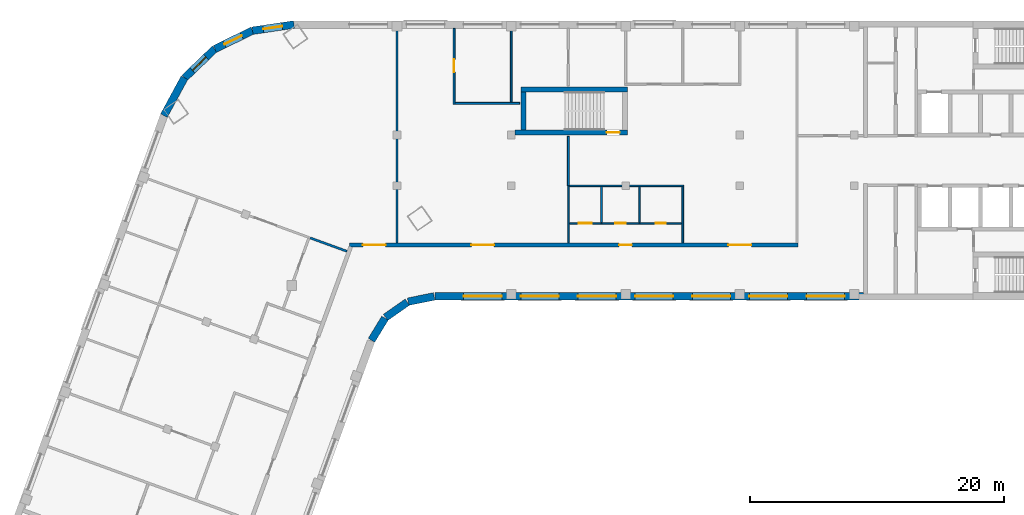
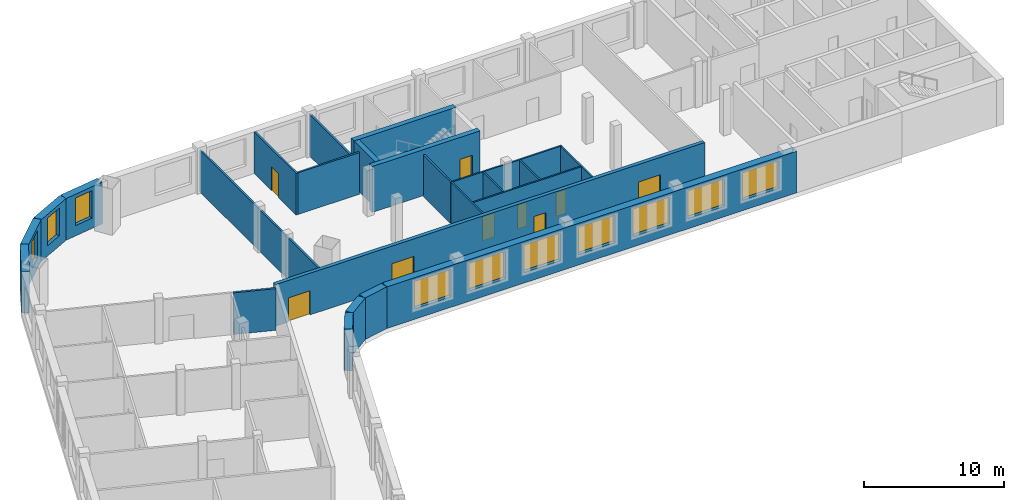
# One storey, part 4 of 8: 24 walls, 10 windows, 9 doors, 19 openings.
"""IFC4 building model written with IfcOpenShell, lengths in metres."""

from ifc_helpers import new_model, si_unit, direction, frame, frame_2d, origin, place, context, subcontext, project, spatial, rectangle, extrude, material, layer, layer_set, type_object, element, fill, save


model = new_model("IFC4")

# Units and contexts
model_context = context("Model", 3, precision=1e-05, world=origin(), true_north=direction((0.0, 1.0)))
body_context = subcontext(model_context, "Body", "Model", "MODEL_VIEW")
ifc_project = project(units=[si_unit("LENGTHUNIT", "METRE"), si_unit("AREAUNIT", "SQUARE_METRE"), si_unit("VOLUMEUNIT", "CUBIC_METRE"), si_unit("PLANEANGLEUNIT", "RADIAN"), si_unit("MASSUNIT", "GRAM", prefix="KILO")], contexts=[model_context])

# Site, building, storey
site_placement = place(None, origin())
site = spatial("IfcSite", under=ifc_project, at=site_placement, CompositionType="ELEMENT")
building_placement = place(site_placement, origin())
building = spatial("IfcBuilding", under=site, at=building_placement, Name="Skarvind Civic Tower", CompositionType="ELEMENT")
storey_placement = place(building_placement, frame((0.0, 0.0, 196.0)))
storey = spatial("IfcBuildingStorey", under=building, at=storey_placement, Name="L46", CompositionType="ELEMENT", Elevation=196.0)

# Wall
ifc_material_1 = material(Name="Acoustic gypsum board on steel studs", Category="steel")
ifc_layer_1 = layer(ifc_material_1, 0.175048828125)
ifc_layer_set_1 = layer_set([ifc_layer_1], Name="ACOUSTIC MEETING-ROOM PARTITION 175")
wall_type_1 = type_object("IfcWallType", Name="ACOUSTIC MEETING-ROOM PARTITION 175", PredefinedType="PARTITIONING", material=ifc_layer_set_1)
wall_1_placement = place(storey_placement, frame((50.31201171875, 120.843017578125, 0.0), z_axis=(0.0, 0.0, 1.0), x_axis=(-0.939666459913, 0.342092011182, 0.0)))
element("IfcWall", 1, at=wall_1_placement, inside=storey, type_object=wall_type_1, Name="Partition 46.019", PredefinedType="PARTITIONING", context=body_context, shape_type="SweptSolid", body=[
    extrude(rectangle(XDim=3.08935546875, YDim=0.175048828125, at=frame_2d((1.544677734375, 0.0))), origin(), (0.0, 0.0, 1.0), 3.625),
])

# Wall, openings, doors
ifc_material_2 = material(Name="Fire-rated gypsum board on steel studs", Category="steel")
ifc_layer_2 = layer(ifc_material_2, 0.300048828125)
ifc_layer_set_2 = layer_set([ifc_layer_2], Name="CORRIDOR WALL 300")
wall_type_2 = type_object("IfcWallType", Name="CORRIDOR WALL 300", PredefinedType="PARTITIONING", material=ifc_layer_set_2)
wall_2_placement = place(storey_placement, frame((50.506103515625, 121.35009765625, 0.0), z_axis=(0.0, 0.0, 1.0), x_axis=(1.0, 0.0, 0.0)))
wall_2 = element("IfcWall", 2, at=wall_2_placement, inside=storey, type_object=wall_type_2, Name="Partition 46.020", PredefinedType="PARTITIONING", context=body_context, shape_type="SweptSolid", body=[
    extrude(rectangle(XDim=35.31884765625, YDim=0.300048828125, at=frame_2d((17.659423828125, 0.0))), origin(), (0.0, 0.0, 1.0), 3.625),
])
opening_1_placement = place(wall_2_placement, frame((21.243896484375, 0.0, 0.0)))
opening_1 = element("IfcOpeningElement", 3, at=opening_1_placement, cuts=wall_2, Name="Opening L46-D002", PredefinedType="OPENING", context=body_context, shape_type="SweptSolid", body=[
    extrude(rectangle(XDim=1.0, YDim=2.10009765625, at=frame_2d((0.5, 1.050048828125))), frame((0.0, 0.159912109375, 0.0), z_axis=(0.0, -1.0, 0.0), x_axis=(1.0, 0.0, 0.0)), (0.0, 0.0, 1.0), 0.320068359375),
])
opening_2_placement = place(wall_2_placement, frame((29.843994140625, 0.0, 0.0)))
opening_2 = element("IfcOpeningElement", 4, at=opening_2_placement, cuts=wall_2, Name="Opening L46-D008", PredefinedType="OPENING", context=body_context, shape_type="SweptSolid", body=[
    extrude(rectangle(XDim=1.800048828125, YDim=2.10009765625, at=frame_2d((0.89990234375, 1.050048828125))), frame((0.0, 0.159912109375, 0.0), z_axis=(0.0, -1.0, 0.0), x_axis=(1.0, 0.0, 0.0)), (0.0, 0.0, 1.0), 0.320068359375),
])
opening_3_placement = place(wall_2_placement, frame((9.593994140625, 0.0, 0.0)))
opening_3 = element("IfcOpeningElement", 5, at=opening_3_placement, cuts=wall_2, Name="Opening L46-D011", PredefinedType="OPENING", context=body_context, shape_type="SweptSolid", body=[
    extrude(rectangle(XDim=1.800048828125, YDim=2.10009765625, at=frame_2d((0.89990234375, 1.050048828125))), frame((0.0, 0.159912109375, 0.0), z_axis=(0.0, -1.0, 0.0), x_axis=(1.0, 0.0, 0.0)), (0.0, 0.0, 1.0), 0.320068359375),
])
opening_4_placement = place(wall_2_placement, frame((1.047119140625, 0.0, 0.0)))
opening_4 = element("IfcOpeningElement", 6, at=opening_4_placement, cuts=wall_2, Name="Opening L46-D021", PredefinedType="OPENING", context=body_context, shape_type="SweptSolid", body=[
    extrude(rectangle(XDim=1.800048828125, YDim=2.10009765625, at=frame_2d((0.89990234375, 1.050048828125))), frame((0.0, 0.159912109375, 0.0), z_axis=(0.0, -1.0, 0.0), x_axis=(1.0, 0.0, 0.0)), (0.0, 0.0, 1.0), 0.320068359375),
])
ifc_material_3 = material(Name="Fire-rated timber door leaf", Category="wood")
door_type_1 = type_object("IfcDoorType", Name="FD1 1000x2100", OperationType="NOTDEFINED", PredefinedType="DOOR", material=ifc_material_3)
door_1_placement = place(opening_1_placement, origin())
door_1 = element("IfcDoor", 7, at=door_1_placement, inside=storey, type_object=door_type_1, Name="Door L46-D002", OperationType="SINGLE_SWING_LEFT", OverallHeight=2.10009765625, OverallWidth=1.0, PredefinedType="DOOR", context=body_context, shape_type="SweptSolid", body=[
    extrude(rectangle(XDim=1.0, YDim=2.10009765625, at=frame_2d((0.5, 1.050048828125))), frame((0.0, 0.02490234375, 0.0), z_axis=(0.0, -1.0, 0.0), x_axis=(1.0, 0.0, 0.0)), (0.0, 0.0, 1.0), 0.050048828125),
])
fill(opening_1, door_1)
door_type_2 = type_object("IfcDoorType", Name="FD4 1800x2100", OperationType="NOTDEFINED", PredefinedType="DOOR", material=ifc_material_3)
door_2_placement = place(opening_2_placement, origin())
door_2 = element("IfcDoor", 8, at=door_2_placement, inside=storey, type_object=door_type_2, Name="Door L46-D008", OperationType="DOUBLE_DOOR_SINGLE_SWING", OverallHeight=2.10009765625, OverallWidth=1.800048828125, PredefinedType="DOOR", context=body_context, shape_type="SweptSolid", body=[
    extrude(rectangle(XDim=1.800048828125, YDim=2.10009765625, at=frame_2d((0.89990234375, 1.050048828125))), frame((0.0, 0.02490234375, 0.0), z_axis=(0.0, -1.0, 0.0), x_axis=(1.0, 0.0, 0.0)), (0.0, 0.0, 1.0), 0.050048828125),
])
fill(opening_2, door_2)
door_3_placement = place(opening_3_placement, origin())
door_3 = element("IfcDoor", 9, at=door_3_placement, inside=storey, type_object=door_type_2, Name="Door L46-D011", OperationType="DOUBLE_DOOR_SINGLE_SWING", OverallHeight=2.10009765625, OverallWidth=1.800048828125, PredefinedType="DOOR", context=body_context, shape_type="SweptSolid", body=[
    extrude(rectangle(XDim=1.800048828125, YDim=2.10009765625, at=frame_2d((0.89990234375, 1.050048828125))), frame((0.0, 0.02490234375, 0.0), z_axis=(0.0, -1.0, 0.0), x_axis=(1.0, 0.0, 0.0)), (0.0, 0.0, 1.0), 0.050048828125),
])
fill(opening_3, door_3)
door_4_placement = place(opening_4_placement, origin())
door_4 = element("IfcDoor", 10, at=door_4_placement, inside=storey, type_object=door_type_2, Name="Door L46-D021", OperationType="DOUBLE_DOOR_SINGLE_SWING", OverallHeight=2.10009765625, OverallWidth=1.800048828125, PredefinedType="DOOR", context=body_context, shape_type="SweptSolid", body=[
    extrude(rectangle(XDim=1.800048828125, YDim=2.10009765625, at=frame_2d((0.89990234375, 1.050048828125))), frame((0.0, 0.02490234375, 0.0), z_axis=(0.0, -1.0, 0.0), x_axis=(1.0, 0.0, 0.0)), (0.0, 0.0, 1.0), 0.050048828125),
])
fill(opening_4, door_4)

# Wall, opening, door
ifc_material_4 = material(Name="Concrete C60", Category="concrete")
ifc_layer_3 = layer(ifc_material_4, 0.39990234375)
ifc_layer_set_3 = layer_set([ifc_layer_3], Name="Core wall 400 C60")
wall_type_3 = type_object("IfcWallType", Name="Core wall 400 C60", PredefinedType="SHEAR", material=ifc_layer_set_3)
wall_3_placement = place(storey_placement, frame((63.550048828125, 130.199951171875, 0.0), z_axis=(0.0, 0.0, 1.0), x_axis=(1.0, 0.0, 0.0)))
wall_3 = element("IfcWall", 11, at=wall_3_placement, inside=storey, type_object=wall_type_3, Name="Core wall CM inner L46", PredefinedType="SHEAR", context=body_context, shape_type="SweptSolid", body=[
    extrude(rectangle(XDim=8.849853515625, YDim=0.39990234375, at=frame_2d((4.4248046875, 0.0))), origin(), (0.0, 0.0, 1.0), 4.0),
])
opening_5_placement = place(wall_3_placement, frame((7.22509765625, 0.0, 0.0)))
opening_5 = element("IfcOpeningElement", 12, at=opening_5_placement, cuts=wall_3, Name="Opening D-L46-CM-01", PredefinedType="OPENING", context=body_context, shape_type="SweptSolid", body=[
    extrude(rectangle(XDim=1.0, YDim=2.10009765625, at=frame_2d((0.5, 1.050048828125))), frame((0.0, 0.2099609375, 0.0), z_axis=(0.0, -1.0, 0.0), x_axis=(1.0, 0.0, 0.0)), (0.0, 0.0, 1.0), 0.419921875),
])
ifc_material_5 = material(Name="Fire-rated steel door", Category="steel")
door_type_3 = type_object("IfcDoorType", Name="Fire door 1000", OperationType="NOTDEFINED", PredefinedType="DOOR", material=ifc_material_5)
door_5_placement = place(opening_5_placement, origin())
door_5 = element("IfcDoor", 13, at=door_5_placement, inside=storey, type_object=door_type_3, Name="Fire door", OperationType="SINGLE_SWING_LEFT", OverallHeight=2.10009765625, OverallWidth=1.0, PredefinedType="DOOR", context=body_context, shape_type="SweptSolid", body=[
    extrude(rectangle(XDim=1.0, YDim=2.10009765625, at=frame_2d((0.5, 1.050048828125))), frame((0.0, 0.02490234375, 0.0), z_axis=(0.0, -1.0, 0.0), x_axis=(1.0, 0.0, 0.0)), (0.0, 0.0, 1.0), 0.050048828125),
])
fill(opening_5, door_5)

# Walls
wall_4_placement = place(storey_placement, frame((64.0, 133.60009765625, 0.0), z_axis=(0.0, 0.0, 1.0), x_axis=(1.0, 0.0, 0.0)))
element("IfcWall", 14, at=wall_4_placement, inside=storey, type_object=wall_type_3, Name="Core wall CM outer L46", PredefinedType="SHEAR", context=body_context, shape_type="SweptSolid", body=[
    extrude(rectangle(XDim=8.39990234375, YDim=0.39990234375, at=frame_2d((4.199951171875, 0.0))), origin(), (0.0, 0.0, 1.0), 4.0),
])
wall_5_placement = place(storey_placement, frame((64.199951171875, 130.39990234375, 0.0), z_axis=(0.0, 0.0, 1.0), x_axis=(0.0, 1.0, 0.0)))
element("IfcWall", 15, at=wall_5_placement, inside=storey, type_object=wall_type_3, Name="Core wall CM west L46", PredefinedType="SHEAR", context=body_context, shape_type="SweptSolid", body=[
    extrude(rectangle(XDim=3.0, YDim=0.39990234375, at=frame_2d((1.5, 0.0))), origin(), (0.0, 0.0, 1.0), 4.0),
])
ifc_material_6 = material(Name="Plasterboard partition on steel studs", Category="steel")
ifc_layer_4 = layer(ifc_material_6, 0.14990234375)
ifc_layer_set_4 = layer_set([ifc_layer_4], Name="PARTITION 150")
wall_type_4 = type_object("IfcWallType", Name="PARTITION 150", PredefinedType="PARTITIONING", material=ifc_layer_set_4)
wall_6_placement = place(storey_placement, frame((54.25, 138.39990234375, 0.0), z_axis=(0.0, 0.0, 1.0), x_axis=(0.0, -1.0, 0.0)))
element("IfcWall", 16, at=wall_6_placement, inside=storey, type_object=wall_type_4, Name="Partition 46.021", PredefinedType="PARTITIONING", context=body_context, shape_type="SweptSolid", body=[
    extrude(rectangle(XDim=16.89990234375, YDim=0.14990234375, at=frame_2d((8.449951171875, 0.0))), origin(), (0.0, 0.0, 1.0), 3.625),
])

# Wall, opening, door
wall_7_placement = place(storey_placement, frame((58.75, 132.425048828125, 0.0), z_axis=(0.0, 0.0, 1.0), x_axis=(0.0, 1.0, 0.0)))
wall_7 = element("IfcWall", 17, at=wall_7_placement, inside=storey, type_object=wall_type_4, Name="Partition 46.022", PredefinedType="PARTITIONING", context=body_context, shape_type="SweptSolid", body=[
    extrude(rectangle(XDim=5.974853515625, YDim=0.14990234375, at=frame_2d((2.9873046875, 0.0))), origin(), (0.0, 0.0, 1.0), 3.625),
])
opening_6_placement = place(wall_7_placement, frame((2.52490234375, 0.0, 0.0)))
opening_6 = element("IfcOpeningElement", 18, at=opening_6_placement, cuts=wall_7, Name="Opening L46-D010", PredefinedType="OPENING", context=body_context, shape_type="SweptSolid", body=[
    extrude(rectangle(XDim=1.0, YDim=2.10009765625, at=frame_2d((0.5, 1.050048828125))), frame((0.0, 0.0849609375, 0.0), z_axis=(0.0, -1.0, 0.0), x_axis=(1.0, 0.0, 0.0)), (0.0, 0.0, 1.0), 0.169921875),
])
ifc_material_7 = material(Name="Timber door leaf", Category="wood")
door_type_4 = type_object("IfcDoorType", Name="D1 1000x2100", OperationType="NOTDEFINED", PredefinedType="DOOR", material=ifc_material_7)
door_6_placement = place(opening_6_placement, origin())
door_6 = element("IfcDoor", 19, at=door_6_placement, inside=storey, type_object=door_type_4, Name="Door L46-D010", OperationType="SINGLE_SWING_LEFT", OverallHeight=2.10009765625, OverallWidth=1.0, PredefinedType="DOOR", context=body_context, shape_type="SweptSolid", body=[
    extrude(rectangle(XDim=1.0, YDim=2.10009765625, at=frame_2d((0.5, 1.050048828125))), frame((0.0, 0.02490234375, 0.0), z_axis=(0.0, -1.0, 0.0), x_axis=(1.0, 0.0, 0.0)), (0.0, 0.0, 1.0), 0.050048828125),
])
fill(opening_6, door_6)

# Walls
wall_8_placement = place(storey_placement, frame((63.89990234375, 132.5, 0.0), z_axis=(0.0, 0.0, 1.0), x_axis=(-1.0, 0.0, 0.0)))
element("IfcWall", 20, at=wall_8_placement, inside=storey, type_object=wall_type_4, Name="Partition 46.023", PredefinedType="PARTITIONING", context=body_context, shape_type="SweptSolid", body=[
    extrude(rectangle(XDim=5.074951171875, YDim=0.14990234375, at=frame_2d((2.53759765625, 0.0))), origin(), (0.0, 0.0, 1.0), 3.625),
])
wall_9_placement = place(storey_placement, frame((63.25, 132.574951171875, 0.0), z_axis=(0.0, 0.0, 1.0), x_axis=(0.0, 1.0, 0.0)))
element("IfcWall", 21, at=wall_9_placement, inside=storey, type_object=wall_type_4, Name="Partition 46.024", PredefinedType="PARTITIONING", context=body_context, shape_type="SweptSolid", body=[
    extrude(rectangle(XDim=5.824951171875, YDim=0.14990234375, at=frame_2d((2.91259765625, 0.0))), origin(), (0.0, 0.0, 1.0), 3.625),
])
wall_10_placement = place(storey_placement, frame((67.75, 126.0, 0.0), z_axis=(0.0, 0.0, 1.0), x_axis=(0.0, 1.0, 0.0)))
element("IfcWall", 22, at=wall_10_placement, inside=storey, type_object=wall_type_4, Name="Partition 46.027", PredefinedType="PARTITIONING", context=body_context, shape_type="SweptSolid", body=[
    extrude(rectangle(XDim=3.89990234375, YDim=0.14990234375, at=frame_2d((1.949951171875, 0.0))), origin(), (0.0, 0.0, 1.0), 3.625),
])
ifc_material_8 = material(Name="Moisture-resistant gypsum board on steel studs", Category="steel")
ifc_layer_5 = layer(ifc_material_8, 0.125)
ifc_layer_set_5 = layer_set([ifc_layer_5], Name="WC PARTITION 125")
wall_type_5 = type_object("IfcWallType", Name="WC PARTITION 125", PredefinedType="PARTITIONING", material=ifc_layer_set_5)
wall_11_placement = place(storey_placement, frame((67.75, 121.5, 0.0), z_axis=(0.0, 0.0, 1.0), x_axis=(0.0, 1.0, 0.0)))
element("IfcWall", 23, at=wall_11_placement, inside=storey, type_object=wall_type_5, Name="Partition 46.025", PredefinedType="PARTITIONING", context=body_context, shape_type="SweptSolid", body=[
    extrude(rectangle(XDim=4.5, YDim=0.125, at=frame_2d((2.25, 0.0))), origin(), (0.0, 0.0, 1.0), 3.625),
])

# Wall, openings, doors
wall_12_placement = place(storey_placement, frame((67.81201171875, 123.050048828125, 0.0), z_axis=(0.0, 0.0, 1.0), x_axis=(1.0, 0.0, 0.0)))
wall_12 = element("IfcWall", 24, at=wall_12_placement, inside=storey, type_object=wall_type_5, Name="Partition 46.026", PredefinedType="PARTITIONING", context=body_context, shape_type="SweptSolid", body=[
    extrude(rectangle(XDim=8.8759765625, YDim=0.125, at=frame_2d((4.43798828125, 0.0))), origin(), (0.0, 0.0, 1.0), 3.625),
])
opening_7_placement = place(wall_12_placement, frame((6.81689453125, 0.0, 0.0)))
opening_7 = element("IfcOpeningElement", 25, at=opening_7_placement, cuts=wall_12, Name="Opening L46-D003", PredefinedType="OPENING", context=body_context, shape_type="SweptSolid", body=[
    extrude(rectangle(XDim=0.800048828125, YDim=2.10009765625, at=frame_2d((0.39990234375, 1.050048828125))), frame((0.0, 0.072509765625, 0.0), z_axis=(0.0, -1.0, 0.0), x_axis=(1.0, 0.0, 0.0)), (0.0, 0.0, 1.0), 0.14501953125),
])
opening_8_placement = place(wall_12_placement, frame((3.637939453125, 0.0, 0.0)))
opening_8 = element("IfcOpeningElement", 26, at=opening_8_placement, cuts=wall_12, Name="Opening L46-D004", PredefinedType="OPENING", context=body_context, shape_type="SweptSolid", body=[
    extrude(rectangle(XDim=0.800048828125, YDim=2.10009765625, at=frame_2d((0.39990234375, 1.050048828125))), frame((0.0, 0.072509765625, 0.0), z_axis=(0.0, -1.0, 0.0), x_axis=(1.0, 0.0, 0.0)), (0.0, 0.0, 1.0), 0.14501953125),
])
opening_9_placement = place(wall_12_placement, frame((0.759033203125, 0.0, 0.0)))
opening_9 = element("IfcOpeningElement", 27, at=opening_9_placement, cuts=wall_12, Name="Opening L46-D005", PredefinedType="OPENING", context=body_context, shape_type="SweptSolid", body=[
    extrude(rectangle(XDim=1.0, YDim=2.10009765625, at=frame_2d((0.5, 1.050048828125))), frame((0.0, 0.072509765625, 0.0), z_axis=(0.0, -1.0, 0.0), x_axis=(1.0, 0.0, 0.0)), (0.0, 0.0, 1.0), 0.14501953125),
])
door_7_placement = place(opening_9_placement, origin())
door_7 = element("IfcDoor", 28, at=door_7_placement, inside=storey, type_object=door_type_4, Name="Door L46-D005", OperationType="SINGLE_SWING_LEFT", OverallHeight=2.10009765625, OverallWidth=1.0, PredefinedType="DOOR", context=body_context, shape_type="SweptSolid", body=[
    extrude(rectangle(XDim=1.0, YDim=2.10009765625, at=frame_2d((0.5, 1.050048828125))), frame((0.0, 0.02490234375, 0.0), z_axis=(0.0, -1.0, 0.0), x_axis=(1.0, 0.0, 0.0)), (0.0, 0.0, 1.0), 0.050048828125),
])
fill(opening_9, door_7)
door_type_5 = type_object("IfcDoorType", Name="DOOR 800X2100 TIMBER", OperationType="NOTDEFINED", PredefinedType="DOOR", material=ifc_material_7)
door_8_placement = place(opening_7_placement, origin())
door_8 = element("IfcDoor", 29, at=door_8_placement, inside=storey, type_object=door_type_5, Name="Door L46-D003", OperationType="SINGLE_SWING_RIGHT", OverallHeight=2.10009765625, OverallWidth=0.800048828125, PredefinedType="DOOR", context=body_context, shape_type="SweptSolid", body=[
    extrude(rectangle(XDim=0.800048828125, YDim=2.10009765625, at=frame_2d((0.39990234375, 1.050048828125))), frame((0.0, 0.02490234375, 0.0), z_axis=(0.0, -1.0, 0.0), x_axis=(1.0, 0.0, 0.0)), (0.0, 0.0, 1.0), 0.050048828125),
])
fill(opening_7, door_8)
door_9_placement = place(opening_8_placement, origin())
door_9 = element("IfcDoor", 30, at=door_9_placement, inside=storey, type_object=door_type_5, Name="Door L46-D004", OperationType="SINGLE_SWING_LEFT", OverallHeight=2.10009765625, OverallWidth=0.800048828125, PredefinedType="DOOR", context=body_context, shape_type="SweptSolid", body=[
    extrude(rectangle(XDim=0.800048828125, YDim=2.10009765625, at=frame_2d((0.39990234375, 1.050048828125))), frame((0.0, 0.02490234375, 0.0), z_axis=(0.0, -1.0, 0.0), x_axis=(1.0, 0.0, 0.0)), (0.0, 0.0, 1.0), 0.050048828125),
])
fill(opening_8, door_9)

# Walls
wall_13_placement = place(storey_placement, frame((67.824951171875, 126.0, 0.0), z_axis=(0.0, 0.0, 1.0), x_axis=(1.0, 0.0, 0.0)))
element("IfcWall", 31, at=wall_13_placement, inside=storey, type_object=wall_type_5, Name="Partition 46.028", PredefinedType="PARTITIONING", context=body_context, shape_type="SweptSolid", body=[
    extrude(rectangle(XDim=8.987060546875, YDim=0.125, at=frame_2d((4.49365234375, 0.0))), origin(), (0.0, 0.0, 1.0), 3.625),
])
for number, where, z_axis, x_axis, name in (
    (32, (70.35009765625, 125.93798828125, 0.0), (0.0, 0.0, 1.0), (0.0, -1.0, 0.0), "Partition 46.030"),
    (33, (73.35009765625, 125.93798828125, 0.0), (0.0, 0.0, 1.0), (0.0, -1.0, 0.0), "Partition 46.033"),
):
    element("IfcWall", number, at=place(storey_placement, frame(where, z_axis=z_axis, x_axis=x_axis)), inside=storey, type_object=wall_type_5, Name=name, PredefinedType="PARTITIONING", context=body_context, shape_type="SweptSolid", body=[
        extrude(rectangle(XDim=2.825927734375, YDim=0.125, at=frame_2d((1.4130859375, 0.0))), origin(), (0.0, 0.0, 1.0), 3.625),
    ])
wall_14_placement = place(storey_placement, frame((76.75, 125.93798828125, 0.0), z_axis=(0.0, 0.0, 1.0), x_axis=(0.0, -1.0, 0.0)))
element("IfcWall", 34, at=wall_14_placement, inside=storey, type_object=wall_type_5, Name="Partition 46.034", PredefinedType="PARTITIONING", context=body_context, shape_type="SweptSolid", body=[
    extrude(rectangle(XDim=4.43798828125, YDim=0.125, at=frame_2d((2.218994140625, 0.0))), origin(), (0.0, 0.0, 1.0), 3.625),
])
ifc_material_9 = material(Name="Limestone masonry cladding on insulated backing", Category="masonry")
ifc_layer_6 = layer(ifc_material_9, 0.60009765625)
ifc_layer_set_6 = layer_set([ifc_layer_6], Name="WX1 STONE FACADE WALL 600")
wall_type_6 = type_object("IfcWallType", Name="WX1 STONE FACADE WALL 600", PredefinedType="SOLIDWALL", material=ifc_layer_set_6)
wall_15_placement = place(storey_placement, frame((53.30517578125, 115.578369140625, 0.0), z_axis=(0.0, 0.0, 1.0), x_axis=(-0.522402266438, -0.852699168535, 0.0)))
element("IfcWall", 35, at=wall_15_placement, inside=storey, type_object=wall_type_6, Name="STONE FACADE WALL", PredefinedType="SOLIDWALL", context=body_context, shape_type="SweptSolid", body=[
    extrude(rectangle(XDim=2.042236328125, YDim=0.60009765625, at=frame_2d((1.02099609375, 0.0))), origin(), (0.0, 0.0, 1.0), 3.625),
])
for number, where, z_axis, x_axis, name in (
    (36, (55.061767578125, 116.8388671875, 0.0), (0.0, 0.0, 1.0), (-0.819122269495, -0.573618956815, 0.0), "STONE FACADE WALL"),
    (37, (57.17529296875, 117.2939453125, 0.0), (0.0, 0.0, 1.0), (-0.97996099083, -0.19918949885, 0.0), "STONE FACADE WALL"),
):
    element("IfcWall", number, at=place(storey_placement, frame(where, z_axis=z_axis, x_axis=x_axis)), inside=storey, type_object=wall_type_6, Name=name, PredefinedType="SOLIDWALL", context=body_context, shape_type="SweptSolid", body=[
        extrude(rectangle(XDim=2.09228515625, YDim=0.60009765625, at=frame_2d((1.046142578125, 0.0))), origin(), (0.0, 0.0, 1.0), 3.625),
    ])

# Wall, openings, windows
wall_16_placement = place(storey_placement, frame((90.97998046875, 117.300048828125, 0.0), z_axis=(0.0, 0.0, 1.0), x_axis=(-1.0, 0.0, 0.0)))
wall_16 = element("IfcWall", 38, at=wall_16_placement, inside=storey, type_object=wall_type_6, Name="STONE FACADE WALL", PredefinedType="SOLIDWALL", context=body_context, shape_type="SweptSolid", body=[
    extrude(rectangle(XDim=33.744873046875, YDim=0.60009765625, at=frame_2d((16.87255859375, 0.0))), origin(), (0.0, 0.0, 1.0), 3.625),
])
opening_10_placement = place(wall_16_placement, frame((1.47998046875, 0.0, 0.89990234375)))
opening_10 = element("IfcOpeningElement", 39, at=opening_10_placement, cuts=wall_16, Name="Opening WN1", PredefinedType="OPENING", context=body_context, shape_type="SweptSolid", body=[
    extrude(rectangle(XDim=3.0, YDim=2.39990234375, at=frame_2d((1.5, 1.199951171875))), frame((0.0, 0.31005859375, 0.0), z_axis=(0.0, -1.0, 0.0), x_axis=(1.0, 0.0, 0.0)), (0.0, 0.0, 1.0), 0.6201171875),
])
opening_11_placement = place(wall_16_placement, frame((5.97998046875, 0.0, 0.89990234375)))
opening_11 = element("IfcOpeningElement", 40, at=opening_11_placement, cuts=wall_16, Name="Opening WN1", PredefinedType="OPENING", context=body_context, shape_type="SweptSolid", body=[
    extrude(rectangle(XDim=3.0, YDim=2.39990234375, at=frame_2d((1.5, 1.199951171875))), frame((0.0, 0.31005859375, 0.0), z_axis=(0.0, -1.0, 0.0), x_axis=(1.0, 0.0, 0.0)), (0.0, 0.0, 1.0), 0.6201171875),
])
opening_12_placement = place(wall_16_placement, frame((10.47998046875, 0.0, 0.89990234375)))
opening_12 = element("IfcOpeningElement", 41, at=opening_12_placement, cuts=wall_16, Name="Opening WN1", PredefinedType="OPENING", context=body_context, shape_type="SweptSolid", body=[
    extrude(rectangle(XDim=3.0, YDim=2.39990234375, at=frame_2d((1.5, 1.199951171875))), frame((0.0, 0.31005859375, 0.0), z_axis=(0.0, -1.0, 0.0), x_axis=(1.0, 0.0, 0.0)), (0.0, 0.0, 1.0), 0.6201171875),
])
opening_13_placement = place(wall_16_placement, frame((14.97998046875, 0.0, 0.89990234375)))
opening_13 = element("IfcOpeningElement", 42, at=opening_13_placement, cuts=wall_16, Name="Opening WN1", PredefinedType="OPENING", context=body_context, shape_type="SweptSolid", body=[
    extrude(rectangle(XDim=3.0, YDim=2.39990234375, at=frame_2d((1.5, 1.199951171875))), frame((0.0, 0.31005859375, 0.0), z_axis=(0.0, -1.0, 0.0), x_axis=(1.0, 0.0, 0.0)), (0.0, 0.0, 1.0), 0.6201171875),
])
opening_14_placement = place(wall_16_placement, frame((19.47998046875, 0.0, 0.89990234375)))
opening_14 = element("IfcOpeningElement", 43, at=opening_14_placement, cuts=wall_16, Name="Opening WN1", PredefinedType="OPENING", context=body_context, shape_type="SweptSolid", body=[
    extrude(rectangle(XDim=3.0, YDim=2.39990234375, at=frame_2d((1.5, 1.199951171875))), frame((0.0, 0.31005859375, 0.0), z_axis=(0.0, -1.0, 0.0), x_axis=(1.0, 0.0, 0.0)), (0.0, 0.0, 1.0), 0.6201171875),
])
opening_15_placement = place(wall_16_placement, frame((23.97998046875, 0.0, 0.89990234375)))
opening_15 = element("IfcOpeningElement", 44, at=opening_15_placement, cuts=wall_16, Name="Opening WN1", PredefinedType="OPENING", context=body_context, shape_type="SweptSolid", body=[
    extrude(rectangle(XDim=3.0, YDim=2.39990234375, at=frame_2d((1.5, 1.199951171875))), frame((0.0, 0.31005859375, 0.0), z_axis=(0.0, -1.0, 0.0), x_axis=(1.0, 0.0, 0.0)), (0.0, 0.0, 1.0), 0.6201171875),
])
opening_16_placement = place(wall_16_placement, frame((28.47998046875, 0.0, 0.89990234375)))
opening_16 = element("IfcOpeningElement", 45, at=opening_16_placement, cuts=wall_16, Name="Opening WN1", PredefinedType="OPENING", context=body_context, shape_type="SweptSolid", body=[
    extrude(rectangle(XDim=3.0, YDim=2.39990234375, at=frame_2d((1.5, 1.199951171875))), frame((0.0, 0.31005859375, 0.0), z_axis=(0.0, -1.0, 0.0), x_axis=(1.0, 0.0, 0.0)), (0.0, 0.0, 1.0), 0.6201171875),
])
ifc_material_10 = material(Name="Timber frame, double glazing, timber-lined reveal", Category="wood")
window_type_1 = type_object("IfcWindowType", Name="WN1 PUNCHED STONE WINDOW 3000 x 2400", PartitioningType="SINGLE_PANEL", PredefinedType="WINDOW", material=ifc_material_10)
window_1_placement = place(opening_10_placement, origin())
window_1 = element("IfcWindow", 46, at=window_1_placement, inside=storey, type_object=window_type_1, Name="WN1 WINDOW", OverallHeight=2.39990234375, OverallWidth=3.0, PartitioningType="SINGLE_PANEL", PredefinedType="WINDOW", context=body_context, shape_type="SweptSolid", body=[
    extrude(rectangle(XDim=3.0, YDim=2.39990234375, at=frame_2d((1.5, 1.199951171875))), frame((0.0, 0.030029296875, 0.0), z_axis=(0.0, -1.0, 0.0), x_axis=(1.0, 0.0, 0.0)), (0.0, 0.0, 1.0), 0.06005859375),
])
fill(opening_10, window_1)
window_2_placement = place(opening_11_placement, origin())
window_2 = element("IfcWindow", 47, at=window_2_placement, inside=storey, type_object=window_type_1, Name="WN1 WINDOW", OverallHeight=2.39990234375, OverallWidth=3.0, PartitioningType="SINGLE_PANEL", PredefinedType="WINDOW", context=body_context, shape_type="SweptSolid", body=[
    extrude(rectangle(XDim=3.0, YDim=2.39990234375, at=frame_2d((1.5, 1.199951171875))), frame((0.0, 0.030029296875, 0.0), z_axis=(0.0, -1.0, 0.0), x_axis=(1.0, 0.0, 0.0)), (0.0, 0.0, 1.0), 0.06005859375),
])
fill(opening_11, window_2)
window_3_placement = place(opening_12_placement, origin())
window_3 = element("IfcWindow", 48, at=window_3_placement, inside=storey, type_object=window_type_1, Name="WN1 WINDOW", OverallHeight=2.39990234375, OverallWidth=3.0, PartitioningType="SINGLE_PANEL", PredefinedType="WINDOW", context=body_context, shape_type="SweptSolid", body=[
    extrude(rectangle(XDim=3.0, YDim=2.39990234375, at=frame_2d((1.5, 1.199951171875))), frame((0.0, 0.030029296875, 0.0), z_axis=(0.0, -1.0, 0.0), x_axis=(1.0, 0.0, 0.0)), (0.0, 0.0, 1.0), 0.06005859375),
])
fill(opening_12, window_3)
window_4_placement = place(opening_13_placement, origin())
window_4 = element("IfcWindow", 49, at=window_4_placement, inside=storey, type_object=window_type_1, Name="WN1 WINDOW", OverallHeight=2.39990234375, OverallWidth=3.0, PartitioningType="SINGLE_PANEL", PredefinedType="WINDOW", context=body_context, shape_type="SweptSolid", body=[
    extrude(rectangle(XDim=3.0, YDim=2.39990234375, at=frame_2d((1.5, 1.199951171875))), frame((0.0, 0.030029296875, 0.0), z_axis=(0.0, -1.0, 0.0), x_axis=(1.0, 0.0, 0.0)), (0.0, 0.0, 1.0), 0.06005859375),
])
fill(opening_13, window_4)
window_5_placement = place(opening_14_placement, origin())
window_5 = element("IfcWindow", 50, at=window_5_placement, inside=storey, type_object=window_type_1, Name="WN1 WINDOW", OverallHeight=2.39990234375, OverallWidth=3.0, PartitioningType="SINGLE_PANEL", PredefinedType="WINDOW", context=body_context, shape_type="SweptSolid", body=[
    extrude(rectangle(XDim=3.0, YDim=2.39990234375, at=frame_2d((1.5, 1.199951171875))), frame((0.0, 0.030029296875, 0.0), z_axis=(0.0, -1.0, 0.0), x_axis=(1.0, 0.0, 0.0)), (0.0, 0.0, 1.0), 0.06005859375),
])
fill(opening_14, window_5)
window_6_placement = place(opening_15_placement, origin())
window_6 = element("IfcWindow", 51, at=window_6_placement, inside=storey, type_object=window_type_1, Name="WN1 WINDOW", OverallHeight=2.39990234375, OverallWidth=3.0, PartitioningType="SINGLE_PANEL", PredefinedType="WINDOW", context=body_context, shape_type="SweptSolid", body=[
    extrude(rectangle(XDim=3.0, YDim=2.39990234375, at=frame_2d((1.5, 1.199951171875))), frame((0.0, 0.030029296875, 0.0), z_axis=(0.0, -1.0, 0.0), x_axis=(1.0, 0.0, 0.0)), (0.0, 0.0, 1.0), 0.06005859375),
])
fill(opening_15, window_6)
window_7_placement = place(opening_16_placement, origin())
window_7 = element("IfcWindow", 52, at=window_7_placement, inside=storey, type_object=window_type_1, Name="WN1 WINDOW", OverallHeight=2.39990234375, OverallWidth=3.0, PartitioningType="SINGLE_PANEL", PredefinedType="WINDOW", context=body_context, shape_type="SweptSolid", body=[
    extrude(rectangle(XDim=3.0, YDim=2.39990234375, at=frame_2d((1.5, 1.199951171875))), frame((0.0, 0.030029296875, 0.0), z_axis=(0.0, -1.0, 0.0), x_axis=(1.0, 0.0, 0.0)), (0.0, 0.0, 1.0), 0.06005859375),
])
fill(opening_16, window_7)

# Wall, opening, window
wall_17_placement = place(storey_placement, frame((42.872802734375, 138.21728515625, 0.0), z_axis=(0.0, 0.0, 1.0), x_axis=(0.989110792192, 0.14717282619, 0.0)))
wall_17 = element("IfcWall", 53, at=wall_17_placement, inside=storey, type_object=wall_type_6, Name="STONE FACADE WALL", PredefinedType="SOLIDWALL", context=body_context, shape_type="SweptSolid", body=[
    extrude(rectangle(XDim=3.302734375, YDim=0.60009765625, at=frame_2d((1.6513671875, 0.0))), origin(), (0.0, 0.0, 1.0), 3.625),
])
opening_17_placement = place(wall_17_placement, frame((0.8564453125, 0.0, 0.89990234375)))
opening_17 = element("IfcOpeningElement", 54, at=opening_17_placement, cuts=wall_17, Name="Opening WN8", PredefinedType="OPENING", context=body_context, shape_type="SweptSolid", body=[
    extrude(rectangle(XDim=1.5, YDim=2.39990234375, at=frame_2d((0.75, 1.199951171875))), frame((0.0, 0.31005859375, 0.0), z_axis=(0.0, -1.0, 0.0), x_axis=(1.0, 0.0, 0.0)), (0.0, 0.0, 1.0), 0.6201171875),
])
window_type_2 = type_object("IfcWindowType", Name="WN8 ARC BAY WINDOW 1500 x 2400", PartitioningType="SINGLE_PANEL", PredefinedType="WINDOW", material=ifc_material_10)
window_8_placement = place(opening_17_placement, origin())
window_8 = element("IfcWindow", 55, at=window_8_placement, inside=storey, type_object=window_type_2, Name="WN8 WINDOW", OverallHeight=2.39990234375, OverallWidth=1.5, PartitioningType="SINGLE_PANEL", PredefinedType="WINDOW", context=body_context, shape_type="SweptSolid", body=[
    extrude(rectangle(XDim=1.5, YDim=2.39990234375, at=frame_2d((0.75, 1.199951171875))), frame((0.0, 0.030029296875, 0.0), z_axis=(0.0, -1.0, 0.0), x_axis=(1.0, 0.0, 0.0)), (0.0, 0.0, 1.0), 0.06005859375),
])
fill(opening_17, window_8)

wall_18_placement = place(storey_placement, frame((39.9072265625, 136.77587890625, 0.0), z_axis=(0.0, 0.0, 1.0), x_axis=(0.89761231107, 0.440785819889, 0.0)))
wall_18 = element("IfcWall", 56, at=wall_18_placement, inside=storey, type_object=wall_type_6, Name="STONE FACADE WALL", PredefinedType="SOLIDWALL", context=body_context, shape_type="SweptSolid", body=[
    extrude(rectangle(XDim=3.302734375, YDim=0.60009765625, at=frame_2d((1.6513671875, 0.0))), origin(), (0.0, 0.0, 1.0), 3.625),
])
opening_18_placement = place(wall_18_placement, frame((0.8564453125, 0.0, 0.89990234375)))
opening_18 = element("IfcOpeningElement", 57, at=opening_18_placement, cuts=wall_18, Name="Opening WN8", PredefinedType="OPENING", context=body_context, shape_type="SweptSolid", body=[
    extrude(rectangle(XDim=1.5, YDim=2.39990234375, at=frame_2d((0.75, 1.199951171875))), frame((0.0, 0.31005859375, 0.0), z_axis=(0.0, -1.0, 0.0), x_axis=(1.0, 0.0, 0.0)), (0.0, 0.0, 1.0), 0.6201171875),
])
window_9_placement = place(opening_18_placement, origin())
window_9 = element("IfcWindow", 58, at=window_9_placement, inside=storey, type_object=window_type_2, Name="WN8 WINDOW", OverallHeight=2.39990234375, OverallWidth=1.5, PartitioningType="SINGLE_PANEL", PredefinedType="WINDOW", context=body_context, shape_type="SweptSolid", body=[
    extrude(rectangle(XDim=1.5, YDim=2.39990234375, at=frame_2d((0.75, 1.199951171875))), frame((0.0, 0.030029296875, 0.0), z_axis=(0.0, -1.0, 0.0), x_axis=(1.0, 0.0, 0.0)), (0.0, 0.0, 1.0), 0.06005859375),
])
fill(opening_18, window_9)

wall_19_placement = place(storey_placement, frame((37.520263671875, 134.501220703125, 0.0), z_axis=(0.0, 0.0, 1.0), x_axis=(0.72115684486, 0.692771827596, 0.0)))
wall_19 = element("IfcWall", 59, at=wall_19_placement, inside=storey, type_object=wall_type_6, Name="STONE FACADE WALL", PredefinedType="SOLIDWALL", context=body_context, shape_type="SweptSolid", body=[
    extrude(rectangle(XDim=3.302734375, YDim=0.60009765625, at=frame_2d((1.6513671875, 0.0))), origin(), (0.0, 0.0, 1.0), 3.625),
])
opening_19_placement = place(wall_19_placement, frame((0.8564453125, 0.0, 0.89990234375)))
opening_19 = element("IfcOpeningElement", 60, at=opening_19_placement, cuts=wall_19, Name="Opening WN8", PredefinedType="OPENING", context=body_context, shape_type="SweptSolid", body=[
    extrude(rectangle(XDim=1.5, YDim=2.39990234375, at=frame_2d((0.75, 1.199951171875))), frame((0.0, 0.31005859375, 0.0), z_axis=(0.0, -1.0, 0.0), x_axis=(1.0, 0.0, 0.0)), (0.0, 0.0, 1.0), 0.6201171875),
])
window_10_placement = place(opening_19_placement, origin())
window_10 = element("IfcWindow", 61, at=window_10_placement, inside=storey, type_object=window_type_2, Name="WN8 WINDOW", OverallHeight=2.39990234375, OverallWidth=1.5, PartitioningType="SINGLE_PANEL", PredefinedType="WINDOW", context=body_context, shape_type="SweptSolid", body=[
    extrude(rectangle(XDim=1.5, YDim=2.39990234375, at=frame_2d((0.75, 1.199951171875))), frame((0.0, 0.030029296875, 0.0), z_axis=(0.0, -1.0, 0.0), x_axis=(1.0, 0.0, 0.0)), (0.0, 0.0, 1.0), 0.06005859375),
])
fill(opening_19, window_10)

# Wall
wall_20_placement = place(storey_placement, frame((35.89453125, 131.529541015625, 0.0), z_axis=(0.0, 0.0, 1.0), x_axis=(0.476531180538, 0.879157570618, 0.0)))
element("IfcWall", 62, at=wall_20_placement, inside=storey, type_object=wall_type_6, Name="STONE FACADE WALL", PredefinedType="SOLIDWALL", context=body_context, shape_type="SweptSolid", body=[
    extrude(rectangle(XDim=3.392578125, YDim=0.60009765625, at=frame_2d((1.6962890625, 0.0))), origin(), (0.0, 0.0, 1.0), 3.625),
])

save(model, "model.ifc")
